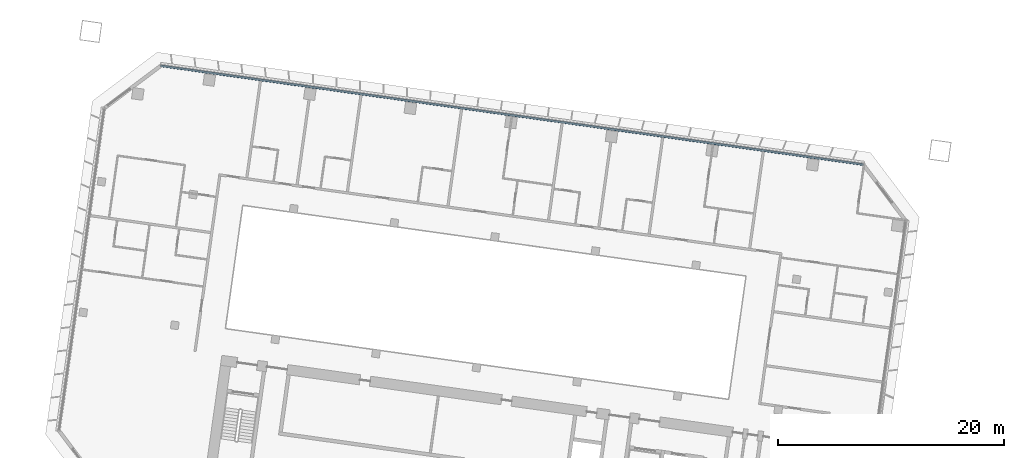
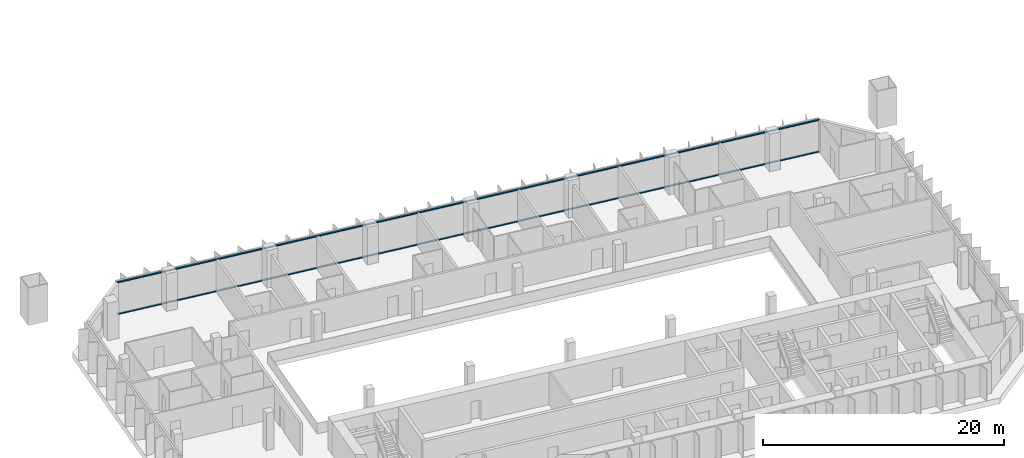
# One storey, part 4 of 24: 2 members, 1 element without a shape of its own.
"""IFC4 building model written with IfcOpenShell, lengths in metres."""

from ifc_helpers import new_model, si_unit, direction, frame, origin, origin_2d, place, context, subcontext, project, spatial, rectangle, extrude, material, material_profile, profile_set, type_object, element, aggregate, save


model = new_model("IFC4")

# Units and contexts
model_context = context("Model", 3, precision=1e-05, world=origin(), true_north=direction((0.0, 1.0)))
body_context = subcontext(model_context, "Body", "Model", "MODEL_VIEW")
ifc_project = project(units=[si_unit("LENGTHUNIT", "METRE"), si_unit("AREAUNIT", "SQUARE_METRE"), si_unit("VOLUMEUNIT", "CUBIC_METRE"), si_unit("PLANEANGLEUNIT", "RADIAN"), si_unit("MASSUNIT", "GRAM", prefix="KILO")], contexts=[model_context])

# Site, building, storey
site_placement = place(None, origin())
site = spatial("IfcSite", under=ifc_project, at=site_placement, CompositionType="ELEMENT")
building_placement = place(site_placement, origin())
building = spatial("IfcBuilding", under=site, at=building_placement, Name="Mirante Cascada Hotel Towers", CompositionType="ELEMENT")
storey_placement = place(building_placement, frame((0.0, 0.0, 88.9)))
storey = spatial("IfcBuildingStorey", under=building, at=storey_placement, Name="L19", CompositionType="ELEMENT", Elevation=88.9)

# Curtain wall, members
ifc_material_1 = material(Name="Aluminium mullion and transom frame with clear laminated glass", Category="aluminium")
curtain_wall_type = type_object("IfcCurtainWallType", Name="Ribbon curtain wall ECW1", PredefinedType="NOTDEFINED", material=ifc_material_1)
curtain_wall_placement = place(storey_placement, origin())
curtain_wall = element("IfcCurtainWall", 1, at=curtain_wall_placement, inside=storey, type_object=curtain_wall_type, Name="Front ribbon wall T1 L19", PredefinedType="NOTDEFINED")
ifc_material_2 = material(Name="Anodised aluminium extrusion", Category="aluminium")
ifc_material_profile = material_profile(ifc_material_2, rectangle(XDim=0.16, YDim=0.1, at=origin_2d()), Name="ECW1 TRANSOM 100x160")
ifc_profile_set = profile_set([ifc_material_profile], Name="Anodised aluminium extrusion")
member_type = type_object("IfcMemberType", Name="ECW1 transom 100x160", PredefinedType="USERDEFINED", material=ifc_profile_set)
member_1_placement = place(storey_placement, frame((-94.1582, 26.0521, 0.05), z_axis=(0.9902681, -0.1391728, 0.0), x_axis=(0.1391728, 0.9902681, 0.0)))
member_1 = element("IfcMember", 2, at=member_1_placement, type_object=member_type, Name="ECW1 sill transom", ObjectType="TRANSOM", PredefinedType="USERDEFINED", context=body_context, shape_type="SweptSolid", body=[
    extrude(rectangle(XDim=0.16, YDim=0.1, at=origin_2d()), origin(), (0.0, 0.0, 1.0), 62.8758),
])
member_2_placement = place(storey_placement, frame((-94.1582, 26.0521, 3.25), z_axis=(0.9902681, -0.1391728, 0.0), x_axis=(0.1391728, 0.9902681, 0.0)))
member_2 = element("IfcMember", 3, at=member_2_placement, type_object=member_type, Name="ECW1 head transom", ObjectType="TRANSOM", PredefinedType="USERDEFINED", context=body_context, shape_type="SweptSolid", body=[
    extrude(rectangle(XDim=0.16, YDim=0.1, at=origin_2d()), origin(), (0.0, 0.0, 1.0), 62.8758),
])
aggregate(curtain_wall, [member_1, member_2])

save(model, "model.ifc")
